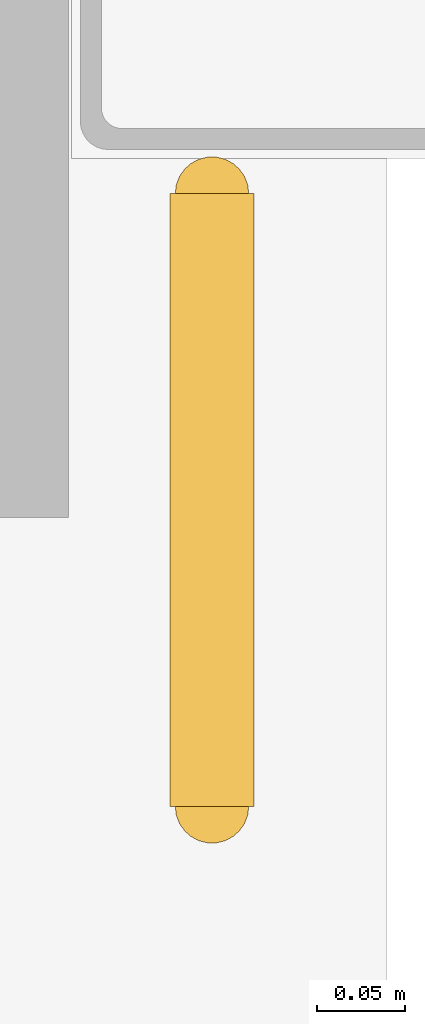
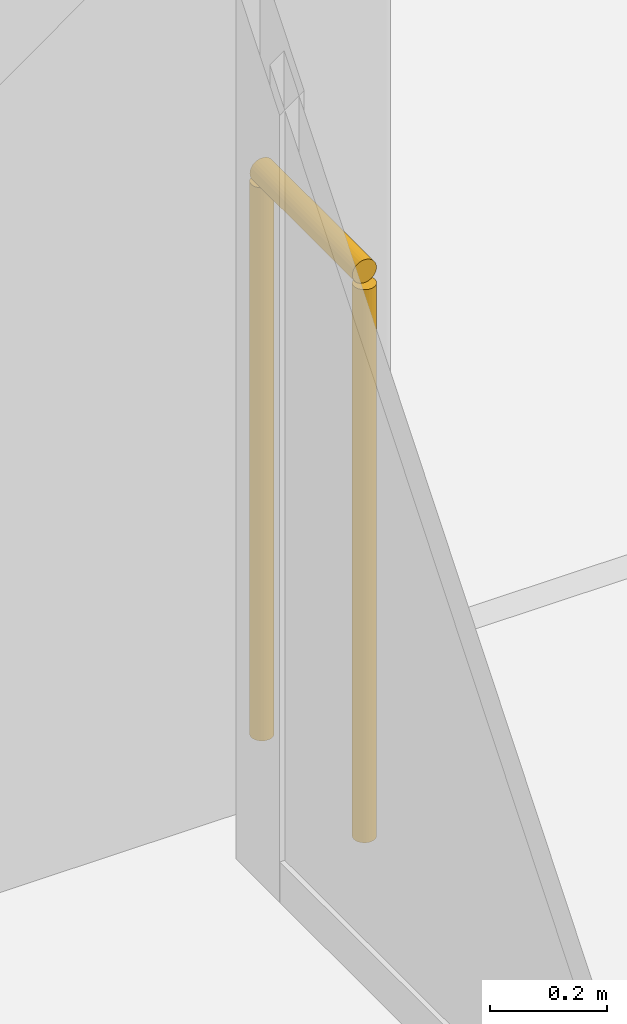
# One storey, part 138 of 139: 1 railing.
"""IFC4 building model written with IfcOpenShell, lengths in metres."""

from ifc_helpers import new_model, si_unit, direction, frame, origin, origin_2d, place, context, subcontext, project, spatial, circle, extrude, material, type_object, element, save


model = new_model("IFC4")

# Units and contexts
model_context = context("Model", 3, precision=1e-05, world=origin(), true_north=direction((0.0, 1.0)))
body_context = subcontext(model_context, "Body", "Model", "MODEL_VIEW")
ifc_project = project(units=[si_unit("LENGTHUNIT", "METRE"), si_unit("AREAUNIT", "SQUARE_METRE"), si_unit("VOLUMEUNIT", "CUBIC_METRE"), si_unit("PLANEANGLEUNIT", "RADIAN"), si_unit("MASSUNIT", "GRAM", prefix="KILO")], contexts=[model_context])

# Site, building, storey
site_placement = place(None, origin())
site = spatial("IfcSite", under=ifc_project, at=site_placement, CompositionType="ELEMENT")
building_placement = place(site_placement, origin())
building = spatial("IfcBuilding", under=site, at=building_placement, Name="Yeouljin Market Hall", CompositionType="ELEMENT")
storey_placement = place(building_placement, origin())
storey = spatial("IfcBuildingStorey", under=building, at=storey_placement, Name="L00", CompositionType="ELEMENT", Elevation=0.0)

# Railing
ifc_material = material(Name="Wrought Iron and Bronze Gallery Balustrade")
railing_type = type_object("IfcRailingType", Name="Railing_AtriumBalustrade_1200", PredefinedType="BALUSTRADE", material=ifc_material)
railing_placement = place(storey_placement, frame((131.300048828125, 117.39990234375, 0.0)))
element("IfcRailing", 1, at=railing_placement, inside=storey, type_object=railing_type, Name="Gallery & deck edge balustrade L00-021", PredefinedType="BALUSTRADE", context=body_context, shape_type="SweptSolid", body=[
    extrude(circle(Radius=0.02392578125, at=origin_2d()), frame((0.0, 0.0, 1.17578125), z_axis=(0.0, -1.0, 0.0), x_axis=(1.0, 0.0, 0.0)), (0.0, 0.0, 1.0), 0.349853515625),
    extrude(circle(Radius=0.02099609375, at=origin_2d()), origin(), (0.0, 0.0, 1.0), 1.15185546875),
    extrude(circle(Radius=0.02099609375, at=origin_2d()), frame((0.0, -0.349853515625, 0.0)), (0.0, 0.0, 1.0), 1.15185546875),
])

save(model, "model.ifc")
